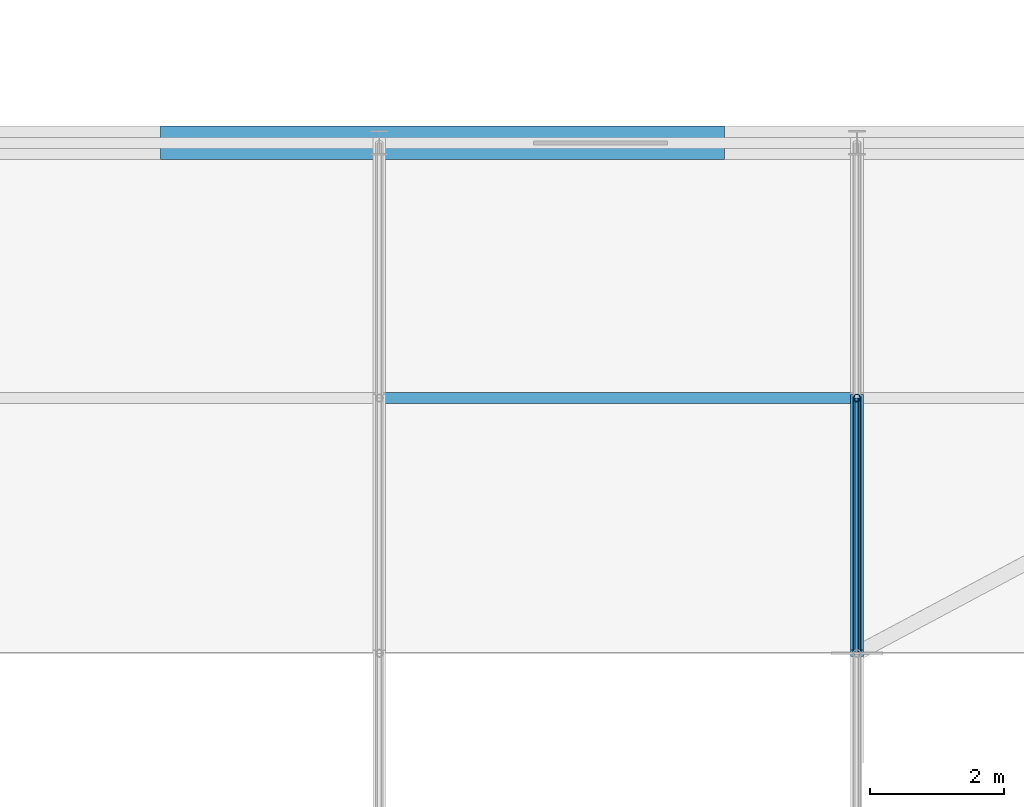
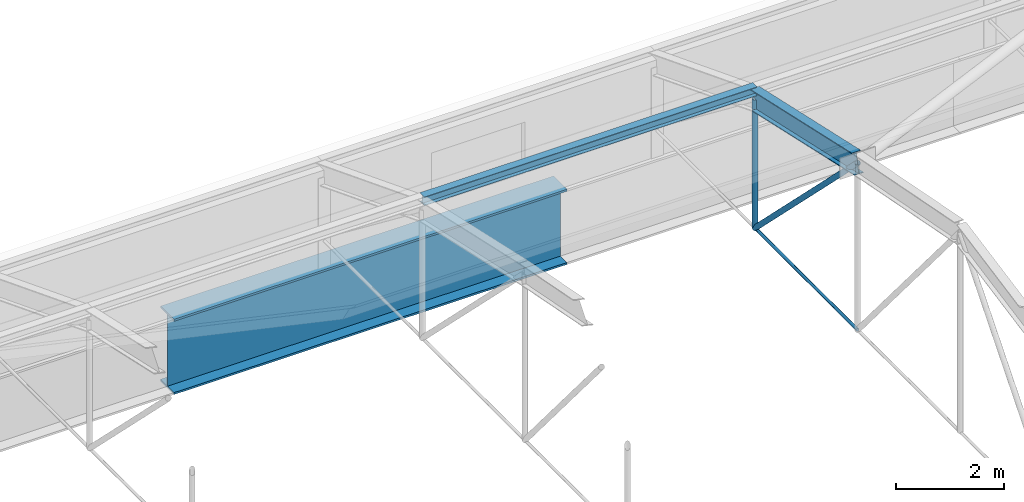
# One storey, part 18 of 53: 4 members, 2 beams.
"""IFC4 building model written with IfcOpenShell, lengths in metres."""

from ifc_helpers import new_model, si_unit, direction, frame, origin_with_axes, origin_2d_with_axis, place, context, subcontext, project, spatial, circle, hollow_circle, i_section, extrude, material, material_profile, profile_set, type_object, element, save


model = new_model("IFC4")

# Units and contexts
model_context = context("Model", 3, precision=1e-05, world=origin_with_axes(), true_north=direction((0.0, 1.0)))
body_context = subcontext(model_context, "Body", "Model", "MODEL_VIEW")
ifc_project = project(units=[si_unit("LENGTHUNIT", "METRE"), si_unit("AREAUNIT", "SQUARE_METRE"), si_unit("VOLUMEUNIT", "CUBIC_METRE"), si_unit("PLANEANGLEUNIT", "RADIAN"), si_unit("MASSUNIT", "GRAM", prefix="KILO"), si_unit("THERMODYNAMICTEMPERATUREUNIT", "KELVIN")], contexts=[model_context])

# Site, building, storey
site_placement = place(None, origin_with_axes())
site = spatial("IfcSite", under=ifc_project, at=site_placement, CompositionType="ELEMENT")
building_placement = place(site_placement, origin_with_axes())
building = spatial("IfcBuilding", under=site, at=building_placement, Name="Montbau Bow Law Courts", CompositionType="ELEMENT")
storey_placement = place(building_placement, frame((0.0, 0.0, 39.0), z_axis=(0.0, 0.0, 1.0), x_axis=(1.0, 0.0, 0.0)))
storey = spatial("IfcBuildingStorey", under=building, at=storey_placement, Name="L08", CompositionType="ELEMENT", Elevation=39.0)

# Beams
ifc_material = material(Name="Steel CSA G40.21 Grade 350WT (350 MPa)", Category="steel")
ifc_material_profile_1 = material_profile(ifc_material, i_section(OverallWidth=0.191, OverallDepth=0.46, WebThickness=0.0099, FlangeThickness=0.016, at=origin_2d_with_axis()), Name="W460X82", Category="Main", Priority=0)
ifc_profile_set_1 = profile_set([ifc_material_profile_1], Name="Steel CSA G40.21 Grade 350WT (350 MPa)")
beam_type_1 = type_object("IfcBeamType", Name="B-ARC-02", PredefinedType="USERDEFINED", material=ifc_profile_set_1)
beam_1_placement = place(None, frame((90.771, 54.2, 43.024), z_axis=(0.0, 0.97610237, -0.217311212), x_axis=(-1.0, 0.0, 0.0)))
element("IfcBeam", 1, at=beam_1_placement, inside=storey, type_object=beam_type_1, Name="Barrel vault roof truss arch rib V3-131", ObjectType="ARCH_RIB", PredefinedType="USERDEFINED", context=body_context, shape_type="SweptSolid", body=[
    extrude(i_section(OverallWidth=0.191, OverallDepth=0.46, WebThickness=0.0099, FlangeThickness=0.016, at=origin_2d_with_axis()), origin_with_axes(), (0.0, 0.0, 1.0), 3.893034),
])
ifc_material_profile_2 = material_profile(ifc_material, i_section(OverallWidth=0.5, OverallDepth=1.7, WebThickness=0.02, FlangeThickness=0.045, at=origin_2d_with_axis()), Name="WWF1700X480", Category="Main", Priority=0)
ifc_profile_set_2 = profile_set([ifc_material_profile_2], Name="Steel CSA G40.21 Grade 350WT (350 MPa)")
beam_type_2 = type_object("IfcBeamType", Name="B-TRG-02", PredefinedType="USERDEFINED", material=ifc_profile_set_2)
beam_2_placement = place(None, frame((80.4, 61.8, 37.81), z_axis=(1.0, 0.0, 0.0), x_axis=(0.0, 1.0, 0.0)))
element("IfcBeam", 2, at=beam_2_placement, inside=storey, type_object=beam_type_2, Name="VRG-L08-S0028:bm2_0031", ObjectType="GIRDER", PredefinedType="USERDEFINED", context=body_context, shape_type="SweptSolid", body=[
    extrude(i_section(OverallWidth=0.5, OverallDepth=1.7, WebThickness=0.02, FlangeThickness=0.045, at=origin_2d_with_axis()), origin_with_axes(), (0.0, 0.0, 1.0), 8.4),
])

# Members
ifc_material_profile_3 = material_profile(ifc_material, i_section(OverallWidth=0.165, OverallDepth=0.201, WebThickness=0.0062, FlangeThickness=0.0102, at=origin_2d_with_axis()), Name="W200X36", Category="Main", Priority=0)
ifc_profile_set_3 = profile_set([ifc_material_profile_3], Name="Steel CSA G40.21 Grade 350WT (350 MPa)")
member_type_1 = type_object("IfcMemberType", Name="M-PUR-02", PredefinedType="PURLIN", material=ifc_profile_set_3)
member_1_placement = place(None, frame((83.657, 58.0, 42.388), z_axis=(1.0, 0.0, 0.0), x_axis=(0.0, 1.0, 0.0)))
element("IfcMember", 3, at=member_1_placement, inside=storey, type_object=member_type_1, Name="Barrel vault roof truss purlin V3-132", PredefinedType="PURLIN", context=body_context, shape_type="SweptSolid", body=[
    extrude(i_section(OverallWidth=0.165, OverallDepth=0.201, WebThickness=0.0062, FlangeThickness=0.0102, at=origin_2d_with_axis()), origin_with_axes(), (0.0, 0.0, 1.0), 7.114),
])
ifc_material_profile_4 = material_profile(ifc_material, hollow_circle(Radius=0.057, WallThickness=0.008, at=origin_2d_with_axis()), Name="HSS114X8.0", Category="Main", Priority=0)
ifc_profile_set_4 = profile_set([ifc_material_profile_4], Name="Steel CSA G40.21 Grade 350WT (350 MPa)")
member_type_2 = type_object("IfcMemberType", Name="M-STR-03", PredefinedType="STRUT", material=ifc_profile_set_4)
member_2_placement = place(None, frame((90.771, 54.2, 43.024), z_axis=(0.0, 0.709529954, -0.704675276), x_axis=(-1.0, 0.0, 0.0)))
element("IfcMember", 4, at=member_2_placement, inside=storey, type_object=member_type_2, Name="Barrel vault roof truss web diagonal V3-06-5", PredefinedType="STRUT", context=body_context, shape_type="SweptSolid", body=[
    extrude(hollow_circle(Radius=0.057, WallThickness=0.008, at=origin_2d_with_axis()), origin_with_axes(), (0.0, 0.0, 1.0), 5.355658),
])
member_3_placement = place(None, frame((90.771, 58.0, 39.25), z_axis=(0.0, 0.0, 1.0), x_axis=(1.0, 0.0, 0.0)))
element("IfcMember", 5, at=member_3_placement, inside=storey, type_object=member_type_2, Name="Barrel vault roof truss web post V3-06-5", PredefinedType="STRUT", context=body_context, shape_type="SweptSolid", body=[
    extrude(hollow_circle(Radius=0.057, WallThickness=0.008, at=origin_2d_with_axis()), origin_with_axes(), (0.0, 0.0, 1.0), 2.928),
])
ifc_material_profile_5 = material_profile(ifc_material, circle(Radius=0.032, at=origin_2d_with_axis()), Name="ROD64", Category="Main", Priority=0)
ifc_profile_set_5 = profile_set([ifc_material_profile_5], Name="Steel CSA G40.21 Grade 350WT (350 MPa)")
member_type_3 = type_object("IfcMemberType", Name="M-TIE-02", PredefinedType="USERDEFINED", material=ifc_profile_set_5)
member_4_placement = place(None, frame((90.771, 54.2, 39.25), z_axis=(0.0, 1.0, 0.0), x_axis=(-1.0, 0.0, 0.0)))
element("IfcMember", 6, at=member_4_placement, inside=storey, type_object=member_type_3, Name="Barrel vault roof truss tie V3-131", ObjectType="TIEBAR", PredefinedType="USERDEFINED", context=body_context, shape_type="SweptSolid", body=[
    extrude(circle(Radius=0.032, at=origin_2d_with_axis()), origin_with_axes(), (0.0, 0.0, 1.0), 3.8),
])

save(model, "model.ifc")
